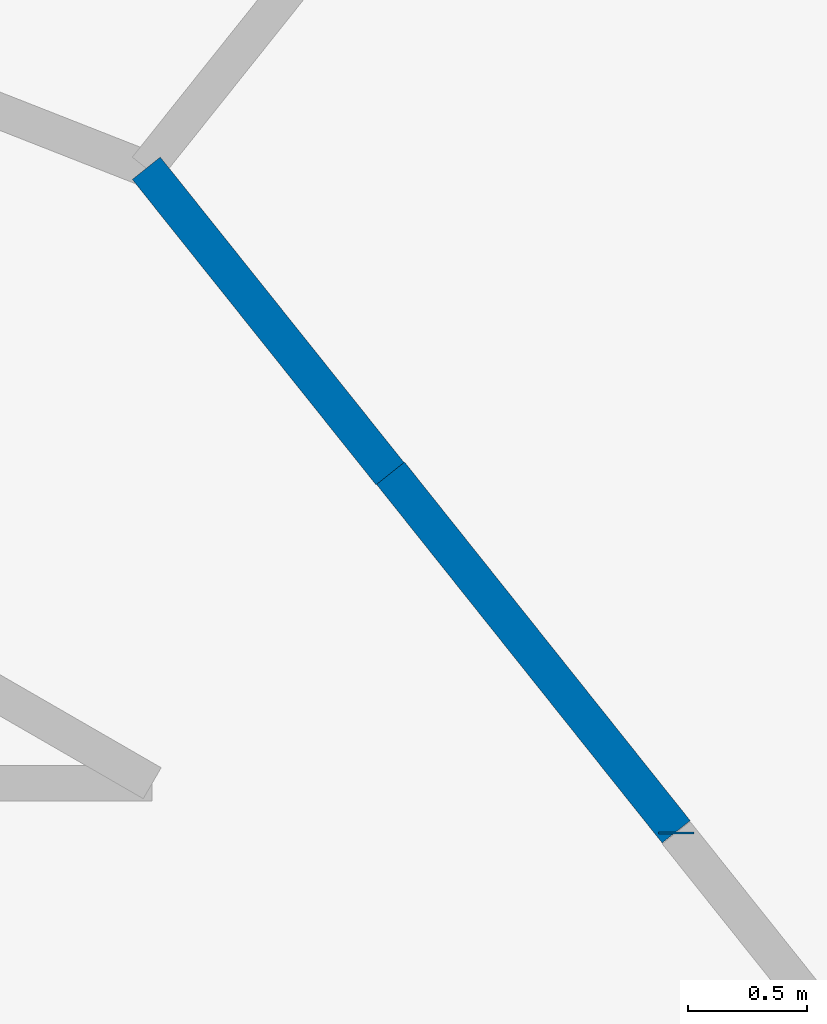
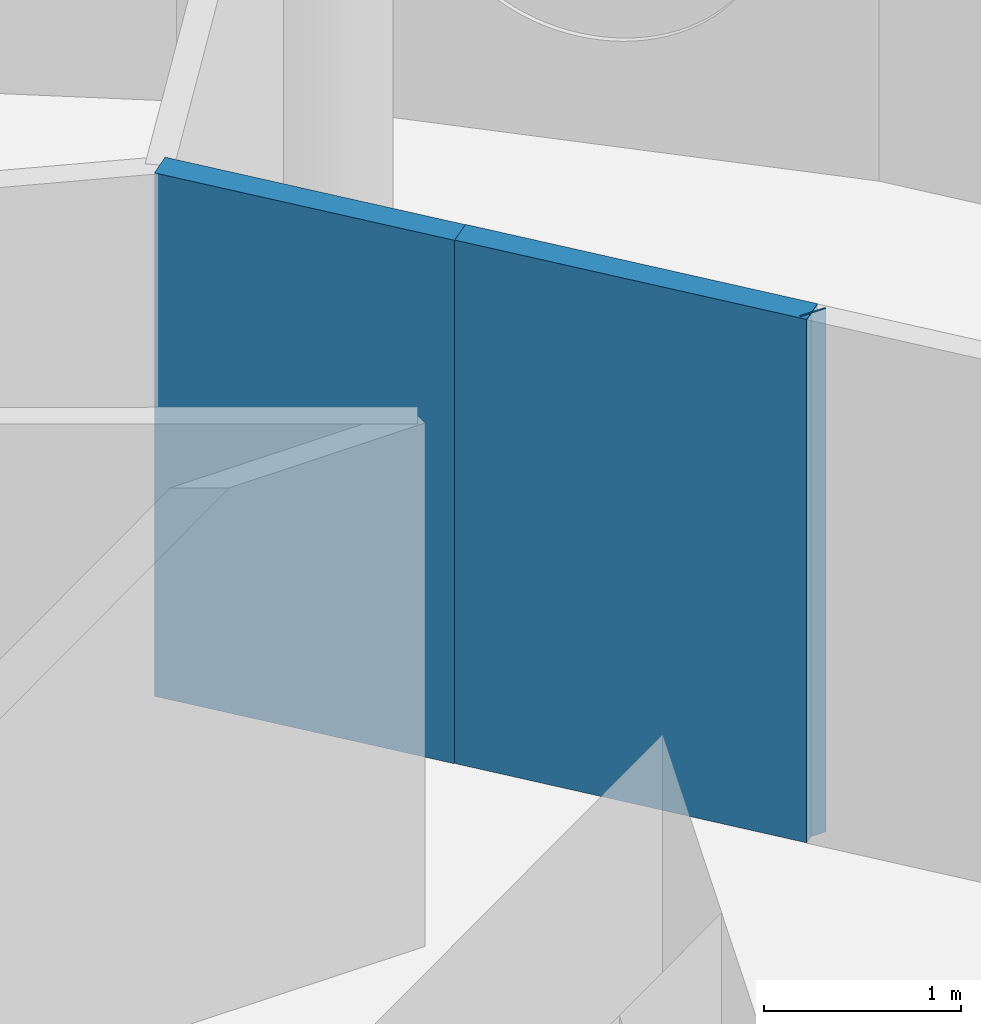
# One storey, part 7 of 11: 3 walls.
"""IFC4 building model written with IfcOpenShell, lengths in metres."""

import ifcopenshell
import ifcopenshell.guid

model = None  # the IFC model being written
_history = None  # IfcOwnerHistory: only IFC2X3 demands one
_inside = {}  # id of a spatial element -> (the spatial element, [elements in it])
_under = {}  # id of a project, library or spatial element -> (it, [spatial elements below it])
_declared = {}  # id of a project -> (the project, [libraries it declares])
_typed = {}  # id of a type object -> (the type object, [elements of that type])
_made_of = {}  # id of a material, layer set ... -> (it, [elements and type objects made of it])


def new_model(schema):
    """Start an empty IFC model of exactly this schema.

    Asked for "IFC4X3", IfcOpenShell would pick the latest addendum, in which some entities
    have other attributes; the version numbers below select the first issue.
    IFC2X3 requires an IfcOwnerHistory on every rooted entity: one is made here for all.
    """
    global model, _history
    if schema == "IFC4X3":
        model = ifcopenshell.file(schema_version=(4, 3, 0, 0))
    else:
        model = ifcopenshell.file(schema=schema)
    _inside.clear()
    _under.clear()
    _declared.clear()
    _typed.clear()
    _made_of.clear()
    _history = None
    if model.schema == "IFC2X3":
        org = make("IfcOrganization", Name="unknown")
        user = make(
            "IfcPersonAndOrganization",
            ThePerson=make("IfcPerson", FamilyName="unknown"),
            TheOrganization=org,
        )
        app = make(
            "IfcApplication",
            ApplicationDeveloper=org,
            Version="unknown",
            ApplicationFullName="unknown",
            ApplicationIdentifier="unknown",
        )
        _history = make(
            "IfcOwnerHistory",
            OwningUser=user,
            OwningApplication=app,
            ChangeAction="ADDED",
            CreationDate=0,
        )
    return model


def make(cls, **values):
    """One entity of the class cls with the attributes given. An attribute that is None is left unset."""
    return model.create_entity(
        cls, **{name: value for name, value in values.items() if value is not None}
    )


def rooted(cls, **values):
    """An entity with a GlobalId (a new one), such as an element, a storey or a relation."""
    return make(cls, GlobalId=ifcopenshell.guid.new(), OwnerHistory=_history, **values)


def si_unit(unit_type, name, prefix=None):
    """IfcSIUnit, for example si_unit("LENGTHUNIT", "METRE", prefix="MILLI")."""
    return make("IfcSIUnit", UnitType=unit_type, Prefix=prefix, Name=name)


def assignment(units):
    """IfcUnitAssignment: the units of a project."""
    return None if units is None else make("IfcUnitAssignment", Units=units)


def point(xyz):
    """IfcCartesianPoint."""
    return None if xyz is None else make("IfcCartesianPoint", Coordinates=xyz)


def direction(xyz):
    """IfcDirection."""
    return None if xyz is None else make("IfcDirection", DirectionRatios=xyz)


def frame(location, z_axis=None, x_axis=None):
    """IfcAxis2Placement3D, a coordinate frame: its origin and axes. An axis left out is left unset."""
    return make(
        "IfcAxis2Placement3D",
        Location=point(location),
        Axis=direction(z_axis),
        RefDirection=direction(x_axis),
    )


def frame_2d(location, x_axis=None):
    """IfcAxis2Placement2D, a coordinate frame in the plane: its origin and x axis."""
    return make(
        "IfcAxis2Placement2D", Location=point(location), RefDirection=direction(x_axis)
    )


def origin():
    """The frame at (0, 0, 0) with its axes left unset."""
    return frame((0.0, 0.0, 0.0))


def place(relative_to, where):
    """IfcLocalPlacement: puts the frame where relative to a parent placement (None: the world)."""
    return make(
        "IfcLocalPlacement", PlacementRelTo=relative_to, RelativePlacement=where
    )


def context(
    kind, dimensions, precision=None, world=None, true_north=None, identifier=None
):
    """IfcGeometricRepresentationContext, for example the 3D "Model" context."""
    return make(
        "IfcGeometricRepresentationContext",
        ContextIdentifier=identifier,
        ContextType=kind,
        CoordinateSpaceDimension=dimensions,
        Precision=precision,
        WorldCoordinateSystem=world,
        TrueNorth=true_north,
    )


def subcontext(parent, identifier, kind, view, scale=None):
    """IfcGeometricRepresentationSubContext, for example "Body" below "Model"."""
    return make(
        "IfcGeometricRepresentationSubContext",
        ContextIdentifier=identifier,
        ContextType=kind,
        ParentContext=parent,
        TargetScale=scale,
        TargetView=view,
    )


def project(units=None, contexts=None):
    """IfcProject with its units and contexts."""
    return rooted(
        "IfcProject",
        Name="project",
        RepresentationContexts=contexts,
        UnitsInContext=assignment(units),
    )


def spatial(cls, under=None, at=None, **own):
    """A site, building, storey or space (cls), placed at a placement, below another one or the project."""
    s = rooted(cls, ObjectPlacement=at, **own)
    if under is not None:
        _under.setdefault(under.id(), (under, []))[1].append(s)
    return s


def profile(cls, at=None, kind="AREA", **sizes):
    """A parametric profile (cls). Its sizes go by their IFC names, for example OverallWidth=200.0."""
    return make(cls, ProfileType=kind, Position=at, **sizes)


def rectangle(**sizes):
    """IfcRectangleProfileDef."""
    return profile("IfcRectangleProfileDef", **sizes)


def extrude(swept, where, along, depth):
    """IfcExtrudedAreaSolid: the profile swept, set in the frame where, extruded along a direction by depth."""
    return make(
        "IfcExtrudedAreaSolid",
        SweptArea=swept,
        Position=where,
        ExtrudedDirection=direction(along),
        Depth=depth,
    )


def shape(context_of_items, identifier, shape_type, items):
    """IfcShapeRepresentation: the items that make up one representation, for example the "Body"."""
    return make(
        "IfcShapeRepresentation",
        ContextOfItems=context_of_items,
        RepresentationIdentifier=identifier,
        RepresentationType=shape_type,
        Items=items,
    )


def material(Name=None, Category=None):
    """IfcMaterial."""
    return make("IfcMaterial", Name=Name, Category=Category)


def layer(
    of_material, thickness, ventilated=None, Name=None, Category=None, Priority=None
):
    """IfcMaterialLayer: one layer of a wall or slab, of a material (None: an air gap)."""
    return make(
        "IfcMaterialLayer",
        Material=of_material,
        LayerThickness=thickness,
        IsVentilated=ventilated,
        Name=Name,
        Category=Category,
        Priority=Priority,
    )


def layer_set(layers, Name=None):
    """IfcMaterialLayerSet."""
    return make("IfcMaterialLayerSet", MaterialLayers=layers, LayerSetName=Name)


def made_of(thing, what):
    """Note that an element or type object is made of a material, layer set ...; save() writes the relation."""
    if what is not None:
        _made_of.setdefault(what.id(), (what, []))[1].append(thing)
    return thing


def type_object(cls, material=None, **own):
    """A type object (cls), such as IfcWallType, which elements share."""
    return made_of(rooted(cls, **own), material)


def element(
    cls,
    number,
    at=None,
    inside=None,
    cuts=None,
    type_object=None,
    material=None,
    context=None,
    identifier="Body",
    shape_type=None,
    held_by="IfcProductDefinitionShape",
    body=None,
    shapes=None,
    **own,
):
    """One element of the class cls, such as IfcWall. Its Tag is "e" and its number.

    at: its placement. inside: the storey or other place that contains it. cuts: it is an
    opening in that element (IfcRelVoidsElement). A single representation is given by context,
    identifier, shape_type and body (its items); several are given by shapes. held_by: the class
    of the entity that holds the representations. save() writes the other relations.
    """
    e = rooted(cls, Tag="e%d" % number, ObjectPlacement=at, **own)
    if body is not None:
        shapes = [shape(context, identifier, shape_type, body)]
    if shapes is not None:
        e.Representation = make(held_by, Representations=shapes)
    if inside is not None:
        _inside.setdefault(inside.id(), (inside, []))[1].append(e)
    if cuts is not None:
        rooted(
            "IfcRelVoidsElement", RelatingBuildingElement=cuts, RelatedOpeningElement=e
        )
    if type_object is not None:
        _typed.setdefault(type_object.id(), (type_object, []))[1].append(e)
    return made_of(e, material)


def aggregate(whole, parts):
    """IfcRelAggregates: a whole, such as a stair, and the parts it consists of."""
    return rooted("IfcRelAggregates", RelatingObject=whole, RelatedObjects=parts)


def save(model, path):
    """Write the relations noted so far, then the file.

    IfcRelAggregates (storeys below a building ...), IfcRelContainedInSpatialStructure (elements
    in a storey), IfcRelDefinesByType, IfcRelAssociatesMaterial and IfcRelDeclares: one each for
    every whole, place, type object, material and project.
    """
    for whole, parts in _under.values():
        aggregate(whole, parts)
    for where, things in _inside.values():
        rooted(
            "IfcRelContainedInSpatialStructure",
            RelatedElements=things,
            RelatingStructure=where,
        )
    for kind, things in _typed.values():
        rooted("IfcRelDefinesByType", RelatedObjects=things, RelatingType=kind)
    for what, things in _made_of.values():
        rooted("IfcRelAssociatesMaterial", RelatedObjects=things, RelatingMaterial=what)
    for by, libraries in _declared.values():
        rooted("IfcRelDeclares", RelatingContext=by, RelatedDefinitions=libraries)
    model.write(path)


model = new_model("IFC4")

# Units and contexts
model_context = context("Model", 3, precision=1e-05, world=origin(), true_north=direction((0.0, 1.0)))
body_context = subcontext(model_context, "Body", "Model", "MODEL_VIEW")
ifc_project = project(units=[si_unit("LENGTHUNIT", "METRE"), si_unit("AREAUNIT", "SQUARE_METRE"), si_unit("VOLUMEUNIT", "CUBIC_METRE"), si_unit("PLANEANGLEUNIT", "RADIAN"), si_unit("MASSUNIT", "GRAM", prefix="KILO")], contexts=[model_context])

# Site, building, storey
site_placement = place(None, origin())
site = spatial("IfcSite", under=ifc_project, at=site_placement, CompositionType="ELEMENT")
building_placement = place(site_placement, origin())
building = spatial("IfcBuilding", under=site, at=building_placement, Name="Tracery Tower", CompositionType="ELEMENT")
storey_placement = place(building_placement, frame((0.0, 0.0, 267.0)))
storey = spatial("IfcBuildingStorey", under=building, at=storey_placement, Name="L69", CompositionType="ELEMENT", Elevation=267.0)

# Walls
ifc_material = material(Name="Plasterboard on steel studs", Category="steel")
ifc_layer = layer(ifc_material, 0.14990234375)
ifc_layer_set = layer_set([ifc_layer], Name="Partition 150 corridor wall")
wall_type = type_object("IfcWallType", Name="Partition 150 corridor wall", PredefinedType="PARTITIONING", material=ifc_layer_set)
wall_1_placement = place(storey_placement, frame((10.10107421875, 10.10107421875, 0.0), z_axis=(0.0, 0.0, 1.0), x_axis=(0.623130947784, -0.782117524362, 0.0)))
element("IfcWall", 1, at=wall_1_placement, inside=storey, type_object=wall_type, Name="Corridor wall RC4-004", PredefinedType="PARTITIONING", context=body_context, shape_type="SweptSolid", body=[
    extrude(rectangle(XDim=1.924072265625, YDim=0.14990234375, at=frame_2d((0.9619140625, 0.0))), origin(), (0.0, 0.0, 1.0), 3.25),
])
wall_2_placement = place(storey_placement, frame((11.300048828125, 8.5859375, 0.0), z_axis=(0.0, 0.0, 1.0), x_axis=(0.0, 1.0, 0.0)))
element("IfcWall", 2, at=wall_2_placement, inside=storey, type_object=wall_type, Name="Corridor wall RC4-006", PredefinedType="PARTITIONING", context=body_context, shape_type="SweptSolid", body=[
    extrude(rectangle(XDim=0.01025390625, YDim=0.14990234375, at=frame_2d((0.005126953125, 0.0))), origin(), (0.0, 0.0, 1.0), 3.25),
])
wall_3_placement = place(storey_placement, frame((9.075927734375, 11.381103515625, 0.0), z_axis=(0.0, 0.0, 1.0), x_axis=(0.623805208652, -0.781579849829, 0.0)))
element("IfcWall", 3, at=wall_3_placement, inside=storey, type_object=wall_type, Name="Corridor wall RC4-026", PredefinedType="PARTITIONING", context=body_context, shape_type="SweptSolid", body=[
    extrude(rectangle(XDim=1.64013671875, YDim=0.14990234375, at=frame_2d((0.820068359375, 0.0))), origin(), (0.0, 0.0, 1.0), 3.25),
])

save(model, "model.ifc")
